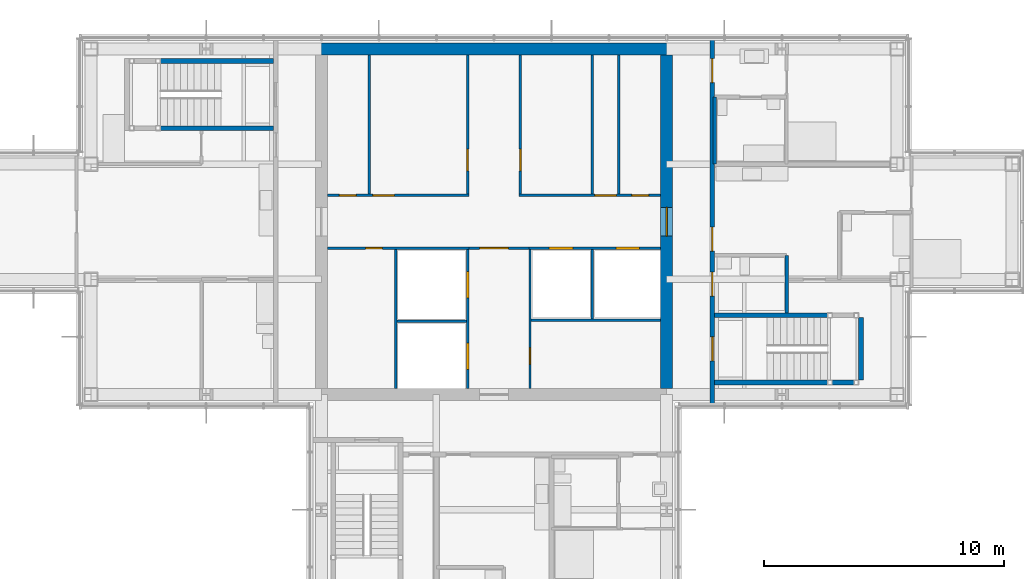
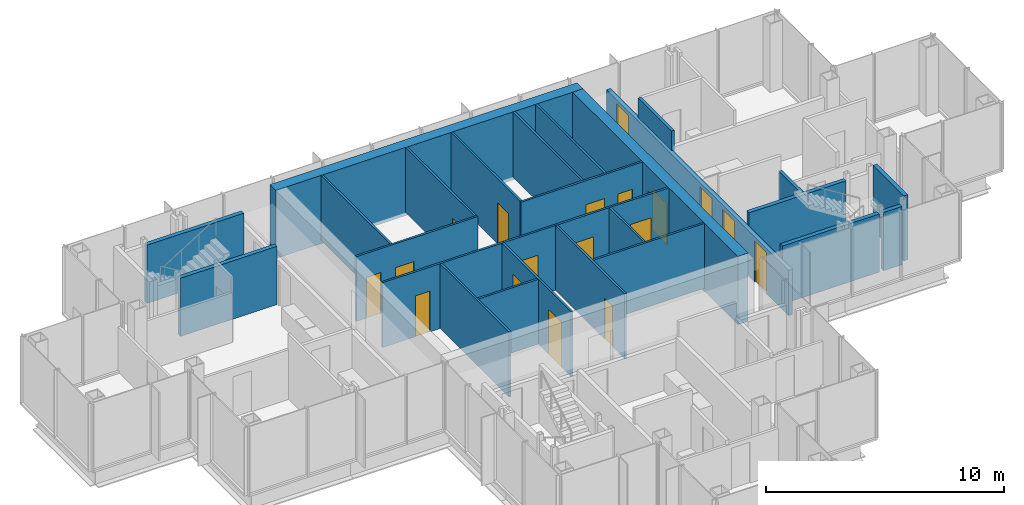
# One storey, part 11 of 15: 27 walls, 18 doors, 18 openings.
"""IFC4 building model written with IfcOpenShell, lengths in metres."""

from ifc_helpers import new_model, si_unit, direction, frame, frame_2d, origin, place, context, subcontext, project, spatial, rectangle, extrude, material, layer, layer_set, type_object, element, fill, save


model = new_model("IFC4")

# Units and contexts
model_context = context("Model", 3, precision=1e-05, world=origin(), true_north=direction((0.0, 1.0)))
body_context = subcontext(model_context, "Body", "Model", "MODEL_VIEW")
ifc_project = project(units=[si_unit("LENGTHUNIT", "METRE"), si_unit("AREAUNIT", "SQUARE_METRE"), si_unit("VOLUMEUNIT", "CUBIC_METRE"), si_unit("PLANEANGLEUNIT", "RADIAN"), si_unit("MASSUNIT", "GRAM", prefix="KILO")], contexts=[model_context])

# Site, building, storey
site_placement = place(None, origin())
site = spatial("IfcSite", under=ifc_project, at=site_placement, CompositionType="ELEMENT")
building_placement = place(site_placement, origin())
building = spatial("IfcBuilding", under=site, at=building_placement, Name="Kvirike Care Tower", CompositionType="ELEMENT")
storey_placement = place(building_placement, frame((0.0, 0.0, 215.5)))
storey = spatial("IfcBuildingStorey", under=building, at=storey_placement, Name="L59", CompositionType="ELEMENT", Elevation=215.5)

# Walls
ifc_material_1 = material(Name="Moisture-resistant board partition", Category="gypsum")
ifc_layer_1 = layer(ifc_material_1, 0.14990234375)
ifc_layer_set_1 = layer_set([ifc_layer_1], Name="BATHROOM WALL 150")
wall_type_1 = type_object("IfcWallType", Name="BATHROOM WALL 150", PredefinedType="PARTITIONING", material=ifc_layer_set_1)
wall_1_placement = place(storey_placement, frame((33.800048828125, 32.199951171875, 0.0), z_axis=(0.0, 0.0, 1.0), x_axis=(0.0, 1.0, 0.0)))
element("IfcWall", 1, at=wall_1_placement, inside=storey, type_object=wall_type_1, Name="Bathroom Wall 150 L59", PredefinedType="PARTITIONING", context=body_context, shape_type="SweptSolid", body=[
    extrude(rectangle(XDim=2.400146484375, YDim=0.14990234375, at=frame_2d((1.2001953125, 0.0))), origin(), (0.0, 0.0, 1.0), 2.550048828125),
])
wall_2_placement = place(storey_placement, frame((30.800048828125, 38.39990234375, 0.0), z_axis=(0.0, 0.0, 1.0), x_axis=(0.0, 1.0, 0.0)))
element("IfcWall", 2, at=wall_2_placement, inside=storey, type_object=wall_type_1, Name="Bathroom Wall 150 L59", PredefinedType="PARTITIONING", context=body_context, shape_type="SweptSolid", body=[
    extrude(rectangle(XDim=2.800048828125, YDim=0.14990234375, at=frame_2d((1.39990234375, 0.0))), origin(), (0.0, 0.0, 1.0), 3.330078125),
])
ifc_material_2 = material(Name="Concrete C40/50", Category="concrete")
ifc_layer_2 = layer(ifc_material_2, 0.5)
ifc_layer_set_2 = layer_set([ifc_layer_2], Name="CORE WALL 500 C40-50")
wall_type_2 = type_object("IfcWallType", Name="CORE WALL 500 C40-50", PredefinedType="SHEAR", material=ifc_layer_set_2)
wall_3_placement = place(storey_placement, frame((29.050048828125, 43.199951171875, -0.169921875), z_axis=(0.0, 0.0, 1.0), x_axis=(-1.0, 0.0, 0.0)))
element("IfcWall", 3, at=wall_3_placement, inside=storey, type_object=wall_type_2, Name="Core wall N L59", PredefinedType="SHEAR", context=body_context, shape_type="SweptSolid", body=[
    extrude(rectangle(XDim=14.900146484375, YDim=0.5, at=frame_2d((7.4501953125, 0.0))), origin(), (0.0, 0.0, 1.0), 3.5),
])

# Wall, opening, door
wall_4_placement = place(storey_placement, frame((28.800048828125, 29.050048828125, -0.169921875), z_axis=(0.0, 0.0, 1.0), x_axis=(0.0, 1.0, 0.0)))
wall_4 = element("IfcWall", 4, at=wall_4_placement, inside=storey, type_object=wall_type_2, Name="Core wall E L59", PredefinedType="SHEAR", context=body_context, shape_type="SweptSolid", body=[
    extrude(rectangle(XDim=13.89990234375, YDim=0.5, at=frame_2d((6.949951171875, 0.0))), origin(), (0.0, 0.0, 1.0), 3.5),
])
opening_1_placement = place(wall_4_placement, frame((6.35009765625, 0.0, 0.169921875)))
opening_1 = element("IfcOpeningElement", 5, at=opening_1_placement, cuts=wall_4, Name="Opening 59-039", PredefinedType="OPENING", context=body_context, shape_type="SweptSolid", body=[
    extrude(rectangle(XDim=1.199951171875, YDim=2.10009765625, at=frame_2d((0.60009765625, 1.050048828125))), frame((0.0, 0.260498046875, 0.0), z_axis=(0.0, -1.0, 0.0), x_axis=(1.0, 0.0, 0.0)), (0.0, 0.0, 1.0), 0.52099609375),
])
ifc_material_3 = material(Name="Timber door set", Category="wood")
door_type_1 = type_object("IfcDoorType", Name="CORE DOOR 1200", OperationType="SINGLE_SWING_LEFT", PredefinedType="DOOR", material=ifc_material_3)
door_1_placement = place(opening_1_placement, origin())
door_1 = element("IfcDoor", 6, at=door_1_placement, inside=storey, type_object=door_type_1, Name="Core door E L59", OperationType="SINGLE_SWING_LEFT", OverallHeight=2.10009765625, OverallWidth=1.199951171875, PredefinedType="DOOR", context=body_context, shape_type="SweptSolid", body=[
    extrude(rectangle(XDim=1.199951171875, YDim=2.10009765625, at=frame_2d((0.60009765625, 1.050048828125))), frame((0.0, 0.02685546875, 0.0), z_axis=(0.0, -1.0, 0.0), x_axis=(1.0, 0.0, 0.0)), (0.0, 0.0, 1.0), 0.053955078125),
])
fill(opening_1, door_1)

# Wall, openings, doors
ifc_material_4 = material(Name="Plasterboard corridor wall", Category="gypsum")
ifc_layer_3 = layer(ifc_material_4, 0.199951171875)
ifc_layer_set_3 = layer_set([ifc_layer_3], Name="CORRIDOR WALL 200")
wall_type_3 = type_object("IfcWallType", Name="CORRIDOR WALL 200", PredefinedType="PARTITIONING", material=ifc_layer_set_3)
wall_5_placement = place(storey_placement, frame((30.699951171875, 28.344970703125, 0.0), z_axis=(0.0, 0.0, 1.0), x_axis=(0.0, 1.0, 0.0)))
wall_5 = element("IfcWall", 7, at=wall_5_placement, inside=storey, type_object=wall_type_3, Name="Corridor Wall 200 L59", PredefinedType="PARTITIONING", context=body_context, shape_type="SweptSolid", body=[
    extrude(rectangle(XDim=15.31005859375, YDim=0.199951171875, at=frame_2d((7.655029296875, 0.0))), origin(), (0.0, 0.0, 1.0), 2.320068359375),
])
opening_2_placement = place(wall_5_placement, frame((1.85498046875, 0.0, 0.0)))
opening_2 = element("IfcOpeningElement", 8, at=opening_2_placement, cuts=wall_5, Name="Opening 59-020", PredefinedType="OPENING", context=body_context, shape_type="SweptSolid", body=[
    extrude(rectangle(XDim=1.0, YDim=2.10009765625, at=frame_2d((0.5, 1.050048828125))), frame((0.0, 0.110595703125, 0.0), z_axis=(0.0, -1.0, 0.0), x_axis=(1.0, 0.0, 0.0)), (0.0, 0.0, 1.0), 0.220947265625),
])
opening_3_placement = place(wall_5_placement, frame((4.554931640625, 0.0, 0.0)))
opening_3 = element("IfcOpeningElement", 9, at=opening_3_placement, cuts=wall_5, Name="Opening 59-021", PredefinedType="OPENING", context=body_context, shape_type="SweptSolid", body=[
    extrude(rectangle(XDim=1.0, YDim=2.10009765625, at=frame_2d((0.5, 1.050048828125))), frame((0.0, 0.110595703125, 0.0), z_axis=(0.0, -1.0, 0.0), x_axis=(1.0, 0.0, 0.0)), (0.0, 0.0, 1.0), 0.220947265625),
])
opening_4_placement = place(wall_5_placement, frame((6.429931640625, 0.0, 0.0)))
opening_4 = element("IfcOpeningElement", 10, at=opening_4_placement, cuts=wall_5, Name="Opening 59-022", PredefinedType="OPENING", context=body_context, shape_type="SweptSolid", body=[
    extrude(rectangle(XDim=1.0, YDim=2.10009765625, at=frame_2d((0.5, 1.050048828125))), frame((0.0, 0.110595703125, 0.0), z_axis=(0.0, -1.0, 0.0), x_axis=(1.0, 0.0, 0.0)), (0.0, 0.0, 1.0), 0.220947265625),
])
opening_5_placement = place(wall_5_placement, frame((13.455078125, 0.0, 0.0)))
opening_5 = element("IfcOpeningElement", 11, at=opening_5_placement, cuts=wall_5, Name="Opening 59-023", PredefinedType="OPENING", context=body_context, shape_type="SweptSolid", body=[
    extrude(rectangle(XDim=1.0, YDim=2.10009765625, at=frame_2d((0.5, 1.050048828125))), frame((0.0, 0.110595703125, 0.0), z_axis=(0.0, -1.0, 0.0), x_axis=(1.0, 0.0, 0.0)), (0.0, 0.0, 1.0), 0.220947265625),
])
ifc_material_5 = material(Name="Timber door set", Category="wood")
door_type_2 = type_object("IfcDoorType", Name="FLAT ENTRANCE DOOR 1000", OperationType="SINGLE_SWING_LEFT", PredefinedType="DOOR", material=ifc_material_5)
door_2_placement = place(opening_4_placement, frame((1.0, 0.0, 0.0), z_axis=(0.0, 0.0, 1.0), x_axis=(-1.0, 0.0, 0.0)))
door_2 = element("IfcDoor", 12, at=door_2_placement, inside=storey, type_object=door_type_2, Name="One-bedroom apartment entrance", OperationType="SINGLE_SWING_LEFT", OverallHeight=2.10009765625, OverallWidth=1.0, PredefinedType="DOOR", context=body_context, shape_type="SweptSolid", body=[
    extrude(rectangle(XDim=1.0, YDim=2.10009765625, at=frame_2d((0.5, 1.050048828125))), frame((0.0, 0.02685546875, 0.0), z_axis=(0.0, -1.0, 0.0), x_axis=(1.0, 0.0, 0.0)), (0.0, 0.0, 1.0), 0.053955078125),
])
fill(opening_4, door_2)
door_3_placement = place(opening_5_placement, frame((1.0, 0.0, 0.0), z_axis=(0.0, 0.0, 1.0), x_axis=(-1.0, 0.0, 0.0)))
door_3 = element("IfcDoor", 13, at=door_3_placement, inside=storey, type_object=door_type_2, Name="Studio apartment entrance", OperationType="SINGLE_SWING_RIGHT", OverallHeight=2.10009765625, OverallWidth=1.0, PredefinedType="DOOR", context=body_context, shape_type="SweptSolid", body=[
    extrude(rectangle(XDim=1.0, YDim=2.10009765625, at=frame_2d((0.5, 1.050048828125))), frame((0.0, 0.02685546875, 0.0), z_axis=(0.0, -1.0, 0.0), x_axis=(1.0, 0.0, 0.0)), (0.0, 0.0, 1.0), 0.053955078125),
])
fill(opening_5, door_3)
ifc_material_6 = material(Name="Timber door set", Category="wood")
door_type_3 = type_object("IfcDoorType", Name="STAIR DOOR 1000", OperationType="SINGLE_SWING_LEFT", PredefinedType="DOOR", material=ifc_material_6)
door_4_placement = place(opening_2_placement, frame((1.0, 0.0, 0.0), z_axis=(0.0, 0.0, 1.0), x_axis=(-1.0, 0.0, 0.0)))
door_4 = element("IfcDoor", 14, at=door_4_placement, inside=storey, type_object=door_type_3, Name="Stair 2 door", OperationType="SINGLE_SWING_RIGHT", OverallHeight=2.10009765625, OverallWidth=1.0, PredefinedType="DOOR", context=body_context, shape_type="SweptSolid", body=[
    extrude(rectangle(XDim=1.0, YDim=2.10009765625, at=frame_2d((0.5, 1.050048828125))), frame((0.0, 0.031982421875, 0.0), z_axis=(0.0, -1.0, 0.0), x_axis=(1.0, 0.0, 0.0)), (0.0, 0.0, 1.0), 0.06396484375),
])
fill(opening_2, door_4)
ifc_material_7 = material(Name="Timber door set", Category="wood")
door_type_4 = type_object("IfcDoorType", Name="WC DOOR 1000", OperationType="SINGLE_SWING_LEFT", PredefinedType="DOOR", material=ifc_material_7)
door_5_placement = place(opening_3_placement, frame((1.0, 0.0, 0.0), z_axis=(0.0, 0.0, 1.0), x_axis=(-1.0, 0.0, 0.0)))
door_5 = element("IfcDoor", 15, at=door_5_placement, inside=storey, type_object=door_type_4, Name="Accessible WC door", OperationType="SINGLE_SWING_LEFT", OverallHeight=2.10009765625, OverallWidth=1.0, PredefinedType="DOOR", context=body_context, shape_type="SweptSolid", body=[
    extrude(rectangle(XDim=1.0, YDim=2.10009765625, at=frame_2d((0.5, 1.050048828125))), frame((0.0, 0.02685546875, 0.0), z_axis=(0.0, -1.0, 0.0), x_axis=(1.0, 0.0, 0.0)), (0.0, 0.0, 1.0), 0.053955078125),
])
fill(opening_3, door_5)

# Walls
ifc_material_8 = material(Name="Gypsum shaft wall system", Category="gypsum")
ifc_layer_4 = layer(ifc_material_8, 0.10009765625)
ifc_layer_set_4 = layer_set([ifc_layer_4], Name="SHAFT WALL 100")
wall_type_4 = type_object("IfcWallType", Name="SHAFT WALL 100", PredefinedType="SOLIDWALL", material=ifc_layer_set_4)
for number, where, z_axis, x_axis, name in (
    (16, (16.39990234375, 37.14990234375, 0.0), (0.0, 0.0, 1.0), (0.0, 1.0, 0.0), "Shaft Wall 100 L59"),
    (17, (26.800048828125, 37.14990234375, 0.0), (0.0, 0.0, 1.0), (0.0, 1.0, 0.0), "Shaft Wall 100 L59"),
):
    element("IfcWall", number, at=place(storey_placement, frame(where, z_axis=z_axis, x_axis=x_axis)), inside=storey, type_object=wall_type_4, Name=name, PredefinedType="SOLIDWALL", context=body_context, shape_type="SweptSolid", body=[
        extrude(rectangle(XDim=5.800048828125, YDim=0.10009765625, at=frame_2d((2.89990234375, 0.0))), origin(), (0.0, 0.0, 1.0), 3.330078125),
    ])

# Wall, openings, doors
wall_6_placement = place(storey_placement, frame((20.5, 29.050048828125, 0.0), z_axis=(0.0, 0.0, 1.0), x_axis=(0.0, 1.0, 0.0)))
wall_6 = element("IfcWall", 18, at=wall_6_placement, inside=storey, type_object=wall_type_4, Name="Shaft Wall 100 L59", PredefinedType="SOLIDWALL", context=body_context, shape_type="SweptSolid", body=[
    extrude(rectangle(XDim=5.800048828125, YDim=0.10009765625, at=frame_2d((2.89990234375, 0.0))), origin(), (0.0, 0.0, 1.0), 3.330078125),
])
opening_6_placement = place(wall_6_placement, frame((0.800048828125, 0.0, 0.0)))
opening_6 = element("IfcOpeningElement", 19, at=opening_6_placement, cuts=wall_6, Name="Opening 59-024", PredefinedType="OPENING", context=body_context, shape_type="SweptSolid", body=[
    extrude(rectangle(XDim=1.10009765625, YDim=2.300048828125, at=frame_2d((0.550048828125, 1.14990234375))), frame((0.0, 0.060546875, 0.0), z_axis=(0.0, -1.0, 0.0), x_axis=(1.0, 0.0, 0.0)), (0.0, 0.0, 1.0), 0.12109375),
])
opening_7_placement = place(wall_6_placement, frame((3.77490234375, 0.0, 0.0)))
opening_7 = element("IfcOpeningElement", 20, at=opening_7_placement, cuts=wall_6, Name="Opening 59-025", PredefinedType="OPENING", context=body_context, shape_type="SweptSolid", body=[
    extrude(rectangle(XDim=1.10009765625, YDim=2.300048828125, at=frame_2d((0.550048828125, 1.14990234375))), frame((0.0, 0.060546875, 0.0), z_axis=(0.0, -1.0, 0.0), x_axis=(1.0, 0.0, 0.0)), (0.0, 0.0, 1.0), 0.12109375),
])
ifc_material_9 = material(Name="Aluminium door frame", Category="aluminium")
door_type_5 = type_object("IfcDoorType", Name="FIRE-FIGHTING LIFT LANDING DOOR 1100", OperationType="SLIDING_TO_LEFT", PredefinedType="DOOR", material=ifc_material_9)
door_6_placement = place(opening_6_placement, origin())
door_6 = element("IfcDoor", 21, at=door_6_placement, inside=storey, type_object=door_type_5, Name="Lift FF1 landing door", OperationType="SLIDING_TO_LEFT", OverallHeight=2.300048828125, OverallWidth=1.10009765625, PredefinedType="DOOR", context=body_context, shape_type="SweptSolid", body=[
    extrude(rectangle(XDim=1.10009765625, YDim=2.300048828125, at=frame_2d((0.550048828125, 1.14990234375))), frame((0.0, 0.0498046875, 0.0), z_axis=(0.0, -1.0, 0.0), x_axis=(1.0, 0.0, 0.0)), (0.0, 0.0, 1.0), 0.099609375),
])
fill(opening_6, door_6)
door_7_placement = place(opening_7_placement, origin())
door_7 = element("IfcDoor", 22, at=door_7_placement, inside=storey, type_object=door_type_5, Name="Lift FF2 landing door", OperationType="SLIDING_TO_LEFT", OverallHeight=2.300048828125, OverallWidth=1.10009765625, PredefinedType="DOOR", context=body_context, shape_type="SweptSolid", body=[
    extrude(rectangle(XDim=1.10009765625, YDim=2.300048828125, at=frame_2d((0.550048828125, 1.14990234375))), frame((0.0, 0.0498046875, 0.0), z_axis=(0.0, -1.0, 0.0), x_axis=(1.0, 0.0, 0.0)), (0.0, 0.0, 1.0), 0.099609375),
])
fill(opening_7, door_7)

# Wall, opening, door
wall_7_placement = place(storey_placement, frame((20.5, 37.14990234375, 0.0), z_axis=(0.0, 0.0, 1.0), x_axis=(0.0, 1.0, 0.0)))
wall_7 = element("IfcWall", 23, at=wall_7_placement, inside=storey, type_object=wall_type_4, Name="Shaft Wall 100 L59", PredefinedType="SOLIDWALL", context=body_context, shape_type="SweptSolid", body=[
    extrude(rectangle(XDim=5.800048828125, YDim=0.10009765625, at=frame_2d((2.89990234375, 0.0))), origin(), (0.0, 0.0, 1.0), 3.330078125),
])
opening_8_placement = place(wall_7_placement, frame((0.97509765625, 0.0, 0.0)))
opening_8 = element("IfcOpeningElement", 24, at=opening_8_placement, cuts=wall_7, Name="Opening 59-026", PredefinedType="OPENING", context=body_context, shape_type="SweptSolid", body=[
    extrude(rectangle(XDim=0.89990234375, YDim=2.10009765625, at=frame_2d((0.449951171875, 1.050048828125))), frame((0.0, 0.060546875, 0.0), z_axis=(0.0, -1.0, 0.0), x_axis=(1.0, 0.0, 0.0)), (0.0, 0.0, 1.0), 0.12109375),
])
ifc_material_10 = material(Name="Timber door set", Category="wood")
door_type_6 = type_object("IfcDoorType", Name="STORE DOOR 900", OperationType="SINGLE_SWING_LEFT", PredefinedType="DOOR", material=ifc_material_10)
door_8_placement = place(opening_8_placement, origin())
door_8 = element("IfcDoor", 25, at=door_8_placement, inside=storey, type_object=door_type_6, Name="Housekeeping office door", OperationType="SINGLE_SWING_RIGHT", OverallHeight=2.10009765625, OverallWidth=0.89990234375, PredefinedType="DOOR", context=body_context, shape_type="SweptSolid", body=[
    extrude(rectangle(XDim=0.89990234375, YDim=2.10009765625, at=frame_2d((0.449951171875, 1.050048828125))), frame((0.0, 0.02685546875, 0.0), z_axis=(0.0, -1.0, 0.0), x_axis=(1.0, 0.0, 0.0)), (0.0, 0.0, 1.0), 0.053955078125),
])
fill(opening_8, door_8)

wall_8_placement = place(storey_placement, frame((22.699951171875, 37.14990234375, 0.0), z_axis=(0.0, 0.0, 1.0), x_axis=(0.0, 1.0, 0.0)))
wall_8 = element("IfcWall", 26, at=wall_8_placement, inside=storey, type_object=wall_type_4, Name="Shaft Wall 100 L59", PredefinedType="SOLIDWALL", context=body_context, shape_type="SweptSolid", body=[
    extrude(rectangle(XDim=5.800048828125, YDim=0.10009765625, at=frame_2d((2.89990234375, 0.0))), origin(), (0.0, 0.0, 1.0), 3.330078125),
])
opening_9_placement = place(wall_8_placement, frame((0.97509765625, 0.0, 0.0)))
opening_9 = element("IfcOpeningElement", 27, at=opening_9_placement, cuts=wall_8, Name="Opening 59-027", PredefinedType="OPENING", context=body_context, shape_type="SweptSolid", body=[
    extrude(rectangle(XDim=0.89990234375, YDim=2.10009765625, at=frame_2d((0.449951171875, 1.050048828125))), frame((0.0, 0.060546875, 0.0), z_axis=(0.0, -1.0, 0.0), x_axis=(1.0, 0.0, 0.0)), (0.0, 0.0, 1.0), 0.12109375),
])
door_9_placement = place(opening_9_placement, frame((0.89990234375, 0.0, 0.0), z_axis=(0.0, 0.0, 1.0), x_axis=(-1.0, 0.0, 0.0)))
door_9 = element("IfcDoor", 28, at=door_9_placement, inside=storey, type_object=door_type_6, Name="Staff room door", OperationType="SINGLE_SWING_LEFT", OverallHeight=2.10009765625, OverallWidth=0.89990234375, PredefinedType="DOOR", context=body_context, shape_type="SweptSolid", body=[
    extrude(rectangle(XDim=0.89990234375, YDim=2.10009765625, at=frame_2d((0.449951171875, 1.050048828125))), frame((0.0, 0.02685546875, 0.0), z_axis=(0.0, -1.0, 0.0), x_axis=(1.0, 0.0, 0.0)), (0.0, 0.0, 1.0), 0.053955078125),
])
fill(opening_9, door_9)

wall_9_placement = place(storey_placement, frame((23.10009765625, 29.050048828125, 0.0), z_axis=(0.0, 0.0, 1.0), x_axis=(0.0, 1.0, 0.0)))
wall_9 = element("IfcWall", 29, at=wall_9_placement, inside=storey, type_object=wall_type_4, Name="Shaft Wall 100 L59", PredefinedType="SOLIDWALL", context=body_context, shape_type="SweptSolid", body=[
    extrude(rectangle(XDim=5.800048828125, YDim=0.10009765625, at=frame_2d((2.89990234375, 0.0))), origin(), (0.0, 0.0, 1.0), 3.330078125),
])
opening_10_placement = place(wall_9_placement, frame((1.0, 0.0, 0.0)))
opening_10 = element("IfcOpeningElement", 30, at=opening_10_placement, cuts=wall_9, Name="Opening 59-028", PredefinedType="OPENING", context=body_context, shape_type="SweptSolid", body=[
    extrude(rectangle(XDim=0.699951171875, YDim=2.10009765625, at=frame_2d((0.35009765625, 1.050048828125))), frame((0.0, 0.060546875, 0.0), z_axis=(0.0, -1.0, 0.0), x_axis=(1.0, 0.0, 0.0)), (0.0, 0.0, 1.0), 0.12109375),
])
ifc_material_11 = material(Name="Timber door set", Category="wood")
door_type_7 = type_object("IfcDoorType", Name="RISER DOOR 700", OperationType="SINGLE_SWING_LEFT", PredefinedType="DOOR", material=ifc_material_11)
door_10_placement = place(opening_10_placement, origin())
door_10 = element("IfcDoor", 31, at=door_10_placement, inside=storey, type_object=door_type_7, Name="Riser door", OperationType="SINGLE_SWING_RIGHT", OverallHeight=2.10009765625, OverallWidth=0.699951171875, PredefinedType="DOOR", context=body_context, shape_type="SweptSolid", body=[
    extrude(rectangle(XDim=0.699951171875, YDim=2.10009765625, at=frame_2d((0.35009765625, 1.050048828125))), frame((0.0, 0.02685546875, 0.0), z_axis=(0.0, -1.0, 0.0), x_axis=(1.0, 0.0, 0.0)), (0.0, 0.0, 1.0), 0.053955078125),
])
fill(opening_10, door_10)

wall_10_placement = place(storey_placement, frame((14.64990234375, 34.89990234375, 0.0), z_axis=(0.0, 0.0, 1.0), x_axis=(1.0, 0.0, 0.0)))
wall_10 = element("IfcWall", 32, at=wall_10_placement, inside=storey, type_object=wall_type_4, Name="Shaft Wall 100 L59", PredefinedType="SOLIDWALL", context=body_context, shape_type="SweptSolid", body=[
    extrude(rectangle(XDim=5.900146484375, YDim=0.10009765625, at=frame_2d((2.9501953125, 0.0))), origin(), (0.0, 0.0, 1.0), 3.330078125),
])
opening_11_placement = place(wall_10_placement, frame((1.60009765625, 0.0, 0.0)))
opening_11 = element("IfcOpeningElement", 33, at=opening_11_placement, cuts=wall_10, Name="Opening 59-029", PredefinedType="OPENING", context=body_context, shape_type="SweptSolid", body=[
    extrude(rectangle(XDim=0.699951171875, YDim=2.10009765625, at=frame_2d((0.35009765625, 1.050048828125))), frame((0.0, 0.060546875, 0.0), z_axis=(0.0, -1.0, 0.0), x_axis=(1.0, 0.0, 0.0)), (0.0, 0.0, 1.0), 0.12109375),
])
door_11_placement = place(opening_11_placement, frame((0.699951171875, 0.0, 0.0), z_axis=(0.0, 0.0, 1.0), x_axis=(-1.0, 0.0, 0.0)))
door_11 = element("IfcDoor", 34, at=door_11_placement, inside=storey, type_object=door_type_7, Name="Riser door", OperationType="SINGLE_SWING_RIGHT", OverallHeight=2.10009765625, OverallWidth=0.699951171875, PredefinedType="DOOR", context=body_context, shape_type="SweptSolid", body=[
    extrude(rectangle(XDim=0.699951171875, YDim=2.10009765625, at=frame_2d((0.35009765625, 1.050048828125))), frame((0.0, 0.02685546875, 0.0), z_axis=(0.0, -1.0, 0.0), x_axis=(1.0, 0.0, 0.0)), (0.0, 0.0, 1.0), 0.053955078125),
])
fill(opening_11, door_11)

# Wall, openings, doors
wall_11_placement = place(storey_placement, frame((23.050048828125, 34.89990234375, 0.0), z_axis=(0.0, 0.0, 1.0), x_axis=(1.0, 0.0, 0.0)))
wall_11 = element("IfcWall", 35, at=wall_11_placement, inside=storey, type_object=wall_type_4, Name="Shaft Wall 100 L59", PredefinedType="SOLIDWALL", context=body_context, shape_type="SweptSolid", body=[
    extrude(rectangle(XDim=5.5, YDim=0.10009765625, at=frame_2d((2.75, 0.0))), origin(), (0.0, 0.0, 1.0), 3.330078125),
])
opening_12_placement = place(wall_11_placement, frame((0.85009765625, 0.0, 0.0)))
opening_12 = element("IfcOpeningElement", 36, at=opening_12_placement, cuts=wall_11, Name="Opening 59-030", PredefinedType="OPENING", context=body_context, shape_type="SweptSolid", body=[
    extrude(rectangle(XDim=1.0, YDim=2.10009765625, at=frame_2d((0.5, 1.050048828125))), frame((0.0, 0.060546875, 0.0), z_axis=(0.0, -1.0, 0.0), x_axis=(1.0, 0.0, 0.0)), (0.0, 0.0, 1.0), 0.12109375),
])
opening_13_placement = place(wall_11_placement, frame((3.625, 0.0, 0.0)))
opening_13 = element("IfcOpeningElement", 37, at=opening_13_placement, cuts=wall_11, Name="Opening 59-031", PredefinedType="OPENING", context=body_context, shape_type="SweptSolid", body=[
    extrude(rectangle(XDim=1.0, YDim=2.10009765625, at=frame_2d((0.5, 1.050048828125))), frame((0.0, 0.060546875, 0.0), z_axis=(0.0, -1.0, 0.0), x_axis=(1.0, 0.0, 0.0)), (0.0, 0.0, 1.0), 0.12109375),
])
ifc_material_12 = material(Name="Aluminium door frame", Category="aluminium")
door_type_8 = type_object("IfcDoorType", Name="LIFT LANDING DOOR 1000", OperationType="SLIDING_TO_LEFT", PredefinedType="DOOR", material=ifc_material_12)
door_12_placement = place(opening_12_placement, origin())
door_12 = element("IfcDoor", 38, at=door_12_placement, inside=storey, type_object=door_type_8, Name="Lift P5 landing door", OperationType="SLIDING_TO_LEFT", OverallHeight=2.10009765625, OverallWidth=1.0, PredefinedType="DOOR", context=body_context, shape_type="SweptSolid", body=[
    extrude(rectangle(XDim=1.0, YDim=2.10009765625, at=frame_2d((0.5, 1.050048828125))), frame((0.0, 0.0498046875, 0.0), z_axis=(0.0, -1.0, 0.0), x_axis=(1.0, 0.0, 0.0)), (0.0, 0.0, 1.0), 0.099609375),
])
fill(opening_12, door_12)
door_13_placement = place(opening_13_placement, origin())
door_13 = element("IfcDoor", 39, at=door_13_placement, inside=storey, type_object=door_type_8, Name="Lift P6 landing door", OperationType="SLIDING_TO_LEFT", OverallHeight=2.10009765625, OverallWidth=1.0, PredefinedType="DOOR", context=body_context, shape_type="SweptSolid", body=[
    extrude(rectangle(XDim=1.0, YDim=2.10009765625, at=frame_2d((0.5, 1.050048828125))), frame((0.0, 0.0498046875, 0.0), z_axis=(0.0, -1.0, 0.0), x_axis=(1.0, 0.0, 0.0)), (0.0, 0.0, 1.0), 0.099609375),
])
fill(opening_13, door_13)

wall_12_placement = place(storey_placement, frame((14.64990234375, 37.10009765625, 0.0), z_axis=(0.0, 0.0, 1.0), x_axis=(1.0, 0.0, 0.0)))
wall_12 = element("IfcWall", 40, at=wall_12_placement, inside=storey, type_object=wall_type_4, Name="Shaft Wall 100 L59", PredefinedType="SOLIDWALL", context=body_context, shape_type="SweptSolid", body=[
    extrude(rectangle(XDim=5.900146484375, YDim=0.10009765625, at=frame_2d((2.9501953125, 0.0))), origin(), (0.0, 0.0, 1.0), 3.330078125),
])
opening_14_placement = place(wall_12_placement, frame((0.5, 0.0, 0.0)))
opening_14 = element("IfcOpeningElement", 41, at=opening_14_placement, cuts=wall_12, Name="Opening 59-032", PredefinedType="OPENING", context=body_context, shape_type="SweptSolid", body=[
    extrude(rectangle(XDim=0.699951171875, YDim=2.10009765625, at=frame_2d((0.35009765625, 1.050048828125))), frame((0.0, 0.060546875, 0.0), z_axis=(0.0, -1.0, 0.0), x_axis=(1.0, 0.0, 0.0)), (0.0, 0.0, 1.0), 0.12109375),
])
opening_15_placement = place(wall_12_placement, frame((1.89990234375, 0.0, 0.0)))
opening_15 = element("IfcOpeningElement", 42, at=opening_15_placement, cuts=wall_12, Name="Opening 59-033", PredefinedType="OPENING", context=body_context, shape_type="SweptSolid", body=[
    extrude(rectangle(XDim=0.89990234375, YDim=2.10009765625, at=frame_2d((0.449951171875, 1.050048828125))), frame((0.0, 0.060546875, 0.0), z_axis=(0.0, -1.0, 0.0), x_axis=(1.0, 0.0, 0.0)), (0.0, 0.0, 1.0), 0.12109375),
])
door_14_placement = place(opening_14_placement, origin())
door_14 = element("IfcDoor", 43, at=door_14_placement, inside=storey, type_object=door_type_7, Name="Riser door", OperationType="SINGLE_SWING_RIGHT", OverallHeight=2.10009765625, OverallWidth=0.699951171875, PredefinedType="DOOR", context=body_context, shape_type="SweptSolid", body=[
    extrude(rectangle(XDim=0.699951171875, YDim=2.10009765625, at=frame_2d((0.35009765625, 1.050048828125))), frame((0.0, 0.02685546875, 0.0), z_axis=(0.0, -1.0, 0.0), x_axis=(1.0, 0.0, 0.0)), (0.0, 0.0, 1.0), 0.053955078125),
])
fill(opening_14, door_14)
door_15_placement = place(opening_15_placement, origin())
door_15 = element("IfcDoor", 44, at=door_15_placement, inside=storey, type_object=door_type_6, Name="Housekeeping office door", OperationType="SINGLE_SWING_RIGHT", OverallHeight=2.10009765625, OverallWidth=0.89990234375, PredefinedType="DOOR", context=body_context, shape_type="SweptSolid", body=[
    extrude(rectangle(XDim=0.89990234375, YDim=2.10009765625, at=frame_2d((0.449951171875, 1.050048828125))), frame((0.0, 0.02685546875, 0.0), z_axis=(0.0, -1.0, 0.0), x_axis=(1.0, 0.0, 0.0)), (0.0, 0.0, 1.0), 0.053955078125),
])
fill(opening_15, door_15)

wall_13_placement = place(storey_placement, frame((22.64990234375, 37.10009765625, 0.0), z_axis=(0.0, 0.0, 1.0), x_axis=(1.0, 0.0, 0.0)))
wall_13 = element("IfcWall", 45, at=wall_13_placement, inside=storey, type_object=wall_type_4, Name="Shaft Wall 100 L59", PredefinedType="SOLIDWALL", context=body_context, shape_type="SweptSolid", body=[
    extrude(rectangle(XDim=5.900146484375, YDim=0.10009765625, at=frame_2d((2.9501953125, 0.0))), origin(), (0.0, 0.0, 1.0), 3.330078125),
])
opening_16_placement = place(wall_13_placement, frame((3.14990234375, 0.0, 0.0)))
opening_16 = element("IfcOpeningElement", 46, at=opening_16_placement, cuts=wall_13, Name="Opening 59-034", PredefinedType="OPENING", context=body_context, shape_type="SweptSolid", body=[
    extrude(rectangle(XDim=0.89990234375, YDim=2.10009765625, at=frame_2d((0.449951171875, 1.050048828125))), frame((0.0, 0.060546875, 0.0), z_axis=(0.0, -1.0, 0.0), x_axis=(1.0, 0.0, 0.0)), (0.0, 0.0, 1.0), 0.12109375),
])
opening_17_placement = place(wall_13_placement, frame((4.699951171875, 0.0, 0.0)))
opening_17 = element("IfcOpeningElement", 47, at=opening_17_placement, cuts=wall_13, Name="Opening 59-035", PredefinedType="OPENING", context=body_context, shape_type="SweptSolid", body=[
    extrude(rectangle(XDim=0.699951171875, YDim=2.10009765625, at=frame_2d((0.35009765625, 1.050048828125))), frame((0.0, 0.060546875, 0.0), z_axis=(0.0, -1.0, 0.0), x_axis=(1.0, 0.0, 0.0)), (0.0, 0.0, 1.0), 0.12109375),
])
door_16_placement = place(opening_17_placement, origin())
door_16 = element("IfcDoor", 48, at=door_16_placement, inside=storey, type_object=door_type_7, Name="Riser door", OperationType="SINGLE_SWING_LEFT", OverallHeight=2.10009765625, OverallWidth=0.699951171875, PredefinedType="DOOR", context=body_context, shape_type="SweptSolid", body=[
    extrude(rectangle(XDim=0.699951171875, YDim=2.10009765625, at=frame_2d((0.35009765625, 1.050048828125))), frame((0.0, 0.02685546875, 0.0), z_axis=(0.0, -1.0, 0.0), x_axis=(1.0, 0.0, 0.0)), (0.0, 0.0, 1.0), 0.053955078125),
])
fill(opening_17, door_16)
door_17_placement = place(opening_16_placement, origin())
door_17 = element("IfcDoor", 49, at=door_17_placement, inside=storey, type_object=door_type_6, Name="Records store door", OperationType="SINGLE_SWING_RIGHT", OverallHeight=2.10009765625, OverallWidth=0.89990234375, PredefinedType="DOOR", context=body_context, shape_type="SweptSolid", body=[
    extrude(rectangle(XDim=0.89990234375, YDim=2.10009765625, at=frame_2d((0.449951171875, 1.050048828125))), frame((0.0, 0.02685546875, 0.0), z_axis=(0.0, -1.0, 0.0), x_axis=(1.0, 0.0, 0.0)), (0.0, 0.0, 1.0), 0.053955078125),
])
fill(opening_16, door_17)

# Wall, opening, door
wall_14_placement = place(storey_placement, frame((20.550048828125, 34.89990234375, 0.0), z_axis=(0.0, 0.0, 1.0), x_axis=(1.0, 0.0, 0.0)))
wall_14 = element("IfcWall", 50, at=wall_14_placement, inside=storey, type_object=wall_type_4, Name="Shaft Wall 100 L59", PredefinedType="SOLIDWALL", context=body_context, shape_type="SweptSolid", body=[
    extrude(rectangle(XDim=2.5, YDim=0.10009765625, at=frame_2d((1.25, 0.0))), origin(), (0.0, 0.0, 1.0), 3.330078125),
])
opening_18_placement = place(wall_14_placement, frame((0.449951171875, 0.0, 0.0)))
opening_18 = element("IfcOpeningElement", 51, at=opening_18_placement, cuts=wall_14, Name="Opening 59-036", PredefinedType="OPENING", context=body_context, shape_type="SweptSolid", body=[
    extrude(rectangle(XDim=1.199951171875, YDim=2.10009765625, at=frame_2d((0.60009765625, 1.050048828125))), frame((0.0, 0.060546875, 0.0), z_axis=(0.0, -1.0, 0.0), x_axis=(1.0, 0.0, 0.0)), (0.0, 0.0, 1.0), 0.12109375),
])
door_18_placement = place(opening_18_placement, frame((1.199951171875, 0.0, 0.0), z_axis=(0.0, 0.0, 1.0), x_axis=(-1.0, 0.0, 0.0)))
door_18 = element("IfcDoor", 52, at=door_18_placement, inside=storey, type_object=door_type_1, Name="Fire-fighting lobby door", OperationType="SINGLE_SWING_LEFT", OverallHeight=2.10009765625, OverallWidth=1.199951171875, PredefinedType="DOOR", context=body_context, shape_type="SweptSolid", body=[
    extrude(rectangle(XDim=1.199951171875, YDim=2.10009765625, at=frame_2d((0.60009765625, 1.050048828125))), frame((0.0, 0.02685546875, 0.0), z_axis=(0.0, -1.0, 0.0), x_axis=(1.0, 0.0, 0.0)), (0.0, 0.0, 1.0), 0.053955078125),
])
fill(opening_18, door_18)

# Walls
wall_15_placement = place(storey_placement, frame((17.5, 29.050048828125, 0.0), z_axis=(0.0, 0.0, 1.0), x_axis=(0.0, 1.0, 0.0)))
element("IfcWall", 53, at=wall_15_placement, inside=storey, type_object=wall_type_4, Name="Shaft Wall 100 L59", PredefinedType="SOLIDWALL", context=body_context, shape_type="SweptSolid", body=[
    extrude(rectangle(XDim=5.800048828125, YDim=0.10009765625, at=frame_2d((2.89990234375, 0.0))), origin(), (0.0, 0.0, 1.0), 3.330078125),
])
wall_16_placement = place(storey_placement, frame((17.550048828125, 31.85009765625, 0.0), z_axis=(0.0, 0.0, 1.0), x_axis=(1.0, 0.0, 0.0)))
element("IfcWall", 54, at=wall_16_placement, inside=storey, type_object=wall_type_4, Name="Shaft Wall 100 L59", PredefinedType="SOLIDWALL", context=body_context, shape_type="SweptSolid", body=[
    extrude(rectangle(XDim=2.89990234375, YDim=0.10009765625, at=frame_2d((1.449951171875, 0.0))), origin(), (0.0, 0.0, 1.0), 3.330078125),
])
wall_17_placement = place(storey_placement, frame((25.699951171875, 37.14990234375, 0.0), z_axis=(0.0, 0.0, 1.0), x_axis=(0.0, 1.0, 0.0)))
element("IfcWall", 55, at=wall_17_placement, inside=storey, type_object=wall_type_4, Name="Shaft Wall 100 L59", PredefinedType="SOLIDWALL", context=body_context, shape_type="SweptSolid", body=[
    extrude(rectangle(XDim=5.800048828125, YDim=0.10009765625, at=frame_2d((2.89990234375, 0.0))), origin(), (0.0, 0.0, 1.0), 3.330078125),
])
wall_18_placement = place(storey_placement, frame((25.699951171875, 31.949951171875, 0.0), z_axis=(0.0, 0.0, 1.0), x_axis=(0.0, 1.0, 0.0)))
element("IfcWall", 56, at=wall_18_placement, inside=storey, type_object=wall_type_4, Name="Shaft Wall 100 L59", PredefinedType="SOLIDWALL", context=body_context, shape_type="SweptSolid", body=[
    extrude(rectangle(XDim=2.900146484375, YDim=0.10009765625, at=frame_2d((1.4501953125, 0.0))), origin(), (0.0, 0.0, 1.0), 3.330078125),
])
wall_19_placement = place(storey_placement, frame((23.14990234375, 31.89990234375, 0.0), z_axis=(0.0, 0.0, 1.0), x_axis=(1.0, 0.0, 0.0)))
element("IfcWall", 57, at=wall_19_placement, inside=storey, type_object=wall_type_4, Name="Shaft Wall 100 L59", PredefinedType="SOLIDWALL", context=body_context, shape_type="SweptSolid", body=[
    extrude(rectangle(XDim=5.400146484375, YDim=0.10009765625, at=frame_2d((2.7001953125, 0.0))), origin(), (0.0, 0.0, 1.0), 3.330078125),
])
ifc_material_13 = material(Name="Concrete C40/50", Category="concrete")
ifc_layer_5 = layer(ifc_material_13, 0.199951171875)
ifc_layer_set_5 = layer_set([ifc_layer_5], Name="STAIR WALL 200")
wall_type_5 = type_object("IfcWallType", Name="STAIR WALL 200", PredefinedType="SOLIDWALL", material=ifc_layer_set_5)
for number, where, z_axis, x_axis, name in (
    (58, (7.699951171875, 42.699951171875, 0.0), (0.0, 0.0, 1.0), (1.0, 0.0, 0.0), "Stair Wall 200 L59"),
    (59, (7.699951171875, 39.89990234375, 0.0), (0.0, 0.0, 1.0), (1.0, 0.0, 0.0), "Stair Wall 200 L59"),
):
    element("IfcWall", number, at=place(storey_placement, frame(where, z_axis=z_axis, x_axis=x_axis)), inside=storey, type_object=wall_type_5, Name=name, PredefinedType="SOLIDWALL", context=body_context, shape_type="SweptSolid", body=[
        extrude(rectangle(XDim=4.699951171875, YDim=0.199951171875, at=frame_2d((2.35009765625, 0.0))), origin(), (0.0, 0.0, 1.0), 2.989990234375),
    ])
wall_20_placement = place(storey_placement, frame((36.60009765625, 29.300048828125, 0.0), z_axis=(0.0, 0.0, 1.0), x_axis=(-1.0, 0.0, 0.0)))
element("IfcWall", 60, at=wall_20_placement, inside=storey, type_object=wall_type_5, Name="Stair Wall 200 L59", PredefinedType="SOLIDWALL", context=body_context, shape_type="SweptSolid", body=[
    extrude(rectangle(XDim=0.900146484375, YDim=0.199951171875, at=frame_2d((0.4501953125, 0.0))), origin(), (0.0, 0.0, 1.0), 2.989990234375),
])
for number, where, z_axis, x_axis, name in (
    (61, (35.5, 29.300048828125, 0.0), (0.0, 0.0, 1.0), (-1.0, 0.0, 0.0), "Stair Wall 200 L59"),
    (62, (35.5, 32.10009765625, 0.0), (0.0, 0.0, 1.0), (-1.0, 0.0, 0.0), "Stair Wall 200 L59"),
):
    element("IfcWall", number, at=place(storey_placement, frame(where, z_axis=z_axis, x_axis=x_axis)), inside=storey, type_object=wall_type_5, Name=name, PredefinedType="SOLIDWALL", context=body_context, shape_type="SweptSolid", body=[
        extrude(rectangle(XDim=4.699951171875, YDim=0.199951171875, at=frame_2d((2.35009765625, 0.0))), origin(), (0.0, 0.0, 1.0), 2.989990234375),
    ])
wall_21_placement = place(storey_placement, frame((36.89990234375, 29.39990234375, 0.0), z_axis=(0.0, 0.0, 1.0), x_axis=(0.0, 1.0, 0.0)))
element("IfcWall", 63, at=wall_21_placement, inside=storey, type_object=wall_type_5, Name="Stair Wall 200 L59", PredefinedType="SOLIDWALL", context=body_context, shape_type="SweptSolid", body=[
    extrude(rectangle(XDim=2.60009765625, YDim=0.199951171875, at=frame_2d((1.300048828125, 0.0))), origin(), (0.0, 0.0, 1.0), 3.330078125),
])

save(model, "model.ifc")
